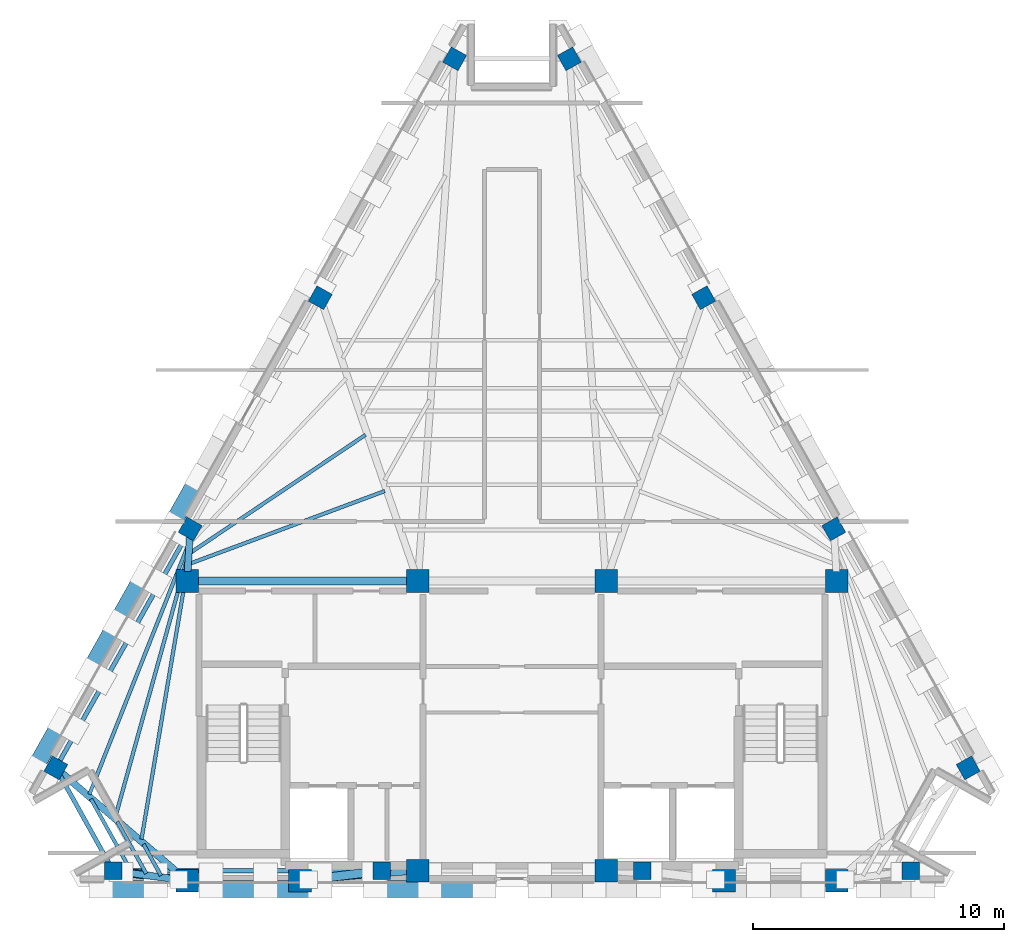
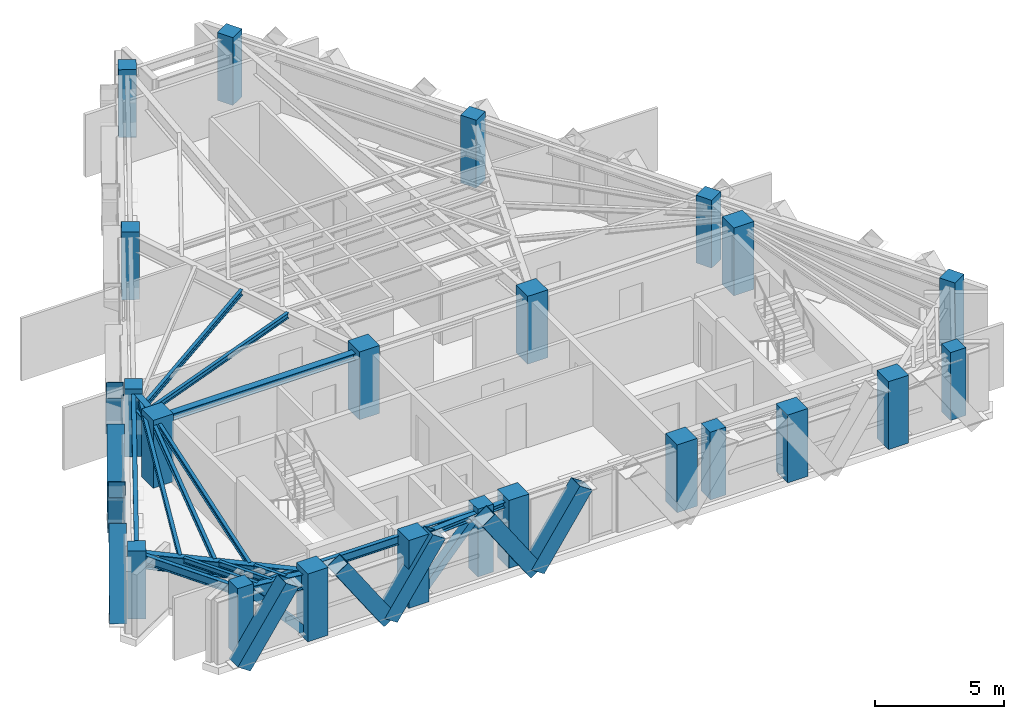
# One storey, part 1 of 7: 22 columns, 16 beams, 11 members.
"""IFC4 building model written with IfcOpenShell, lengths in metres."""

from ifc_helpers import new_model, si_unit, direction, frame, origin, origin_2d, place, context, subcontext, project, spatial, rectangle, hollow_rectangle, i_section, extrude, material, material_profile, profile_set, type_object, element, save


model = new_model("IFC4")

# Units and contexts
model_context = context("Model", 3, precision=1e-05, world=origin(), true_north=direction((0.0, 1.0)))
body_context = subcontext(model_context, "Body", "Model", "MODEL_VIEW")
ifc_project = project(units=[si_unit("LENGTHUNIT", "METRE"), si_unit("AREAUNIT", "SQUARE_METRE"), si_unit("VOLUMEUNIT", "CUBIC_METRE"), si_unit("PLANEANGLEUNIT", "RADIAN"), si_unit("MASSUNIT", "GRAM", prefix="KILO")], contexts=[model_context])

# Site, building, storey
site_placement = place(None, origin())
site = spatial("IfcSite", under=ifc_project, at=site_placement, CompositionType="ELEMENT")
building_placement = place(site_placement, origin())
building = spatial("IfcBuilding", under=site, at=building_placement, Name="Quenlor Broadcast Tower", CompositionType="ELEMENT")
storey_placement = place(building_placement, frame((0.0, 0.0, 280.5)))
storey = spatial("IfcBuildingStorey", under=building, at=storey_placement, Name="L78", CompositionType="ELEMENT", Elevation=280.5)

# Columns
ifc_material_1 = material(Name="Concrete C50/60", Category="concrete")
ifc_material_profile_1 = material_profile(ifc_material_1, rectangle(XDim=0.89990234375, YDim=0.89990234375, at=origin_2d()))
ifc_profile_set_1 = profile_set([ifc_material_profile_1], Name="Concrete C50/60 RC900x900")
column_type_1 = type_object("IfcColumnType", Name="Core Corner Column Upper Concrete C50/60 900", PredefinedType="COLUMN", material=ifc_profile_set_1)
for number, where, z_axis, x_axis, name in (
    (1, (-12.949951171875, -16.75, 0.0), (0.0, 0.0, 1.0), (1.0, 0.0, 0.0), "L78 Core Column CC1"),
    (2, (-8.449951171875, -16.75, 0.0), (0.0, 0.0, 1.0), (1.0, 0.0, 0.0), "L78 Core Column CC2"),
    (3, (-3.75, -16.35009765625, 0.0), (0.0, 0.0, 1.0), (1.0, 0.0, 0.0), "L78 Core Column CC3"),
    (4, (3.75, -16.35009765625, 0.0), (0.0, 0.0, 1.0), (1.0, 0.0, 0.0), "L78 Core Column CC4"),
    (5, (8.449951171875, -16.75, 0.0), (0.0, 0.0, 1.0), (1.0, 0.0, 0.0), "L78 Core Column CC5"),
    (6, (12.949951171875, -16.75, 0.0), (0.0, 0.0, 1.0), (1.0, 0.0, 0.0), "L78 Core Column CC6"),
    (7, (-12.949951171875, -4.800048828125, 0.0), (0.0, 0.0, 1.0), (1.0, 0.0, 0.0), "L78 Core Column CC7"),
    (8, (-3.75, -4.800048828125, 0.0), (0.0, 0.0, 1.0), (1.0, 0.0, 0.0), "L78 Core Column CC8"),
    (9, (3.75, -4.800048828125, 0.0), (0.0, 0.0, 1.0), (1.0, 0.0, 0.0), "L78 Core Column CC9"),
    (10, (12.949951171875, -4.800048828125, 0.0), (0.0, 0.0, 1.0), (1.0, 0.0, 0.0), "L78 Core Column CC10"),
):
    element("IfcColumn", number, at=place(storey_placement, frame(where, z_axis=z_axis, x_axis=x_axis)), inside=storey, type_object=column_type_1, Name=name, PredefinedType="COLUMN", context=body_context, shape_type="SweptSolid", body=[
        extrude(rectangle(XDim=0.89990234375, YDim=0.89990234375, at=origin_2d()), origin(), (0.0, 0.0, 1.0), 3.199951171875),
    ])
ifc_material_2 = material(Name="Concrete C40/50", Category="concrete")
ifc_material_profile_2 = material_profile(ifc_material_2, rectangle(XDim=0.699951171875, YDim=0.699951171875, at=origin_2d()))
ifc_profile_set_2 = profile_set([ifc_material_profile_2], Name="Concrete C40/50 RC700x700")
column_type_2 = type_object("IfcColumnType", Name="Crown Frame Column Concrete C40/50 700", PredefinedType="COLUMN", material=ifc_profile_set_2)
for number, where, z_axis, x_axis, name in (
    (11, (-15.897705078125, -16.35009765625, 0.0), (0.0, 0.0, 1.0), (0.0, 1.0, 0.0), "L78 Perimeter Column S1"),
    (12, (-5.18408203125, -16.35009765625, 0.0), (0.0, 0.0, 1.0), (0.0, 1.0, 0.0), "L78 Perimeter Column S2"),
    (13, (5.18408203125, -16.35009765625, 0.0), (0.0, 0.0, 1.0), (0.0, 1.0, 0.0), "L78 Perimeter Column S3"),
    (14, (15.897705078125, -16.35009765625, 0.0), (0.0, 0.0, 1.0), (0.0, 1.0, 0.0), "L78 Perimeter Column S4"),
    (15, (18.182373046875, -12.25, 0.0), (0.0, 0.0, 1.0), (0.871575139605, 0.490261946333, 0.0), "L78 Perimeter Column NE1"),
    (16, (12.825439453125, -2.726806640625, 0.0), (0.0, 0.0, 1.0), (0.871575139605, 0.490261946333, 0.0), "L78 Perimeter Column NE2"),
    (17, (7.6416015625, 6.4892578125, 0.0), (0.0, 0.0, 1.0), (0.871575139605, 0.490261946333, 0.0), "L78 Perimeter Column NE3"),
    (18, (2.28466796875, 16.012451171875, 0.0), (0.0, 0.0, 1.0), (0.871575139605, 0.490261946333, 0.0), "L78 Perimeter Column NE4"),
    (19, (-2.28466796875, 16.012451171875, 0.0), (0.0, 0.0, 1.0), (-0.871575139605, 0.490261946333, 0.0), "L78 Perimeter Column NW1"),
    (20, (-7.6416015625, 6.4892578125, 0.0), (0.0, 0.0, 1.0), (-0.871575139605, 0.490261946333, 0.0), "L78 Perimeter Column NW2"),
    (21, (-12.825439453125, -2.726806640625, 0.0), (0.0, 0.0, 1.0), (-0.871575139605, 0.490261946333, 0.0), "L78 Perimeter Column NW3"),
    (22, (-18.182373046875, -12.25, 0.0), (0.0, 0.0, 1.0), (-0.871575139605, 0.490261946333, 0.0), "L78 Perimeter Column NW4"),
):
    element("IfcColumn", number, at=place(storey_placement, frame(where, z_axis=z_axis, x_axis=x_axis)), inside=storey, type_object=column_type_2, Name=name, PredefinedType="COLUMN", context=body_context, shape_type="SweptSolid", body=[
        extrude(rectangle(XDim=0.699951171875, YDim=0.699951171875, at=origin_2d()), origin(), (0.0, 0.0, 1.0), 3.199951171875),
    ])

# Beams
ifc_material_3 = material(Name="Steel S355", Category="steel")
ifc_material_profile_3 = material_profile(ifc_material_3, i_section(OverallWidth=0.25390625, OverallDepth=0.25390625, WebThickness=0.008544921875, FlangeThickness=0.01416015625, FilletRadius=0.013916015625, at=origin_2d()))
ifc_profile_set_3 = profile_set([ifc_material_profile_3], Name="Steel S355 250UC72.9")
beam_type_1 = type_object("IfcBeamType", Name="Core Opening Lintel Beam Steel S355 250UC72.9", PredefinedType="LINTEL", material=ifc_profile_set_3)
beam_1_placement = place(storey_placement, frame((-8.09130859375, -16.719482421875, 2.822998046875), z_axis=(0.996399763903, 0.084779186679, 0.0), x_axis=(-0.084779186679, 0.996399763903, 0.0)))
element("IfcBeam", 23, at=beam_1_placement, inside=storey, type_object=beam_type_1, Name="L78 Core Opening Lintel Beam 4", PredefinedType="LINTEL", context=body_context, shape_type="SweptSolid", body=[
    extrude(i_section(OverallWidth=0.25390625, OverallDepth=0.25390625, WebThickness=0.008544921875, FlangeThickness=0.01416015625, FilletRadius=0.013916015625, at=origin_2d()), origin(), (0.0, 0.0, 1.0), 3.9970703125),
])
ifc_material_4 = material(Name="Steel S355", Category="steel")
ifc_material_profile_4 = material_profile(ifc_material_4, i_section(OverallWidth=0.306884765625, OverallDepth=0.314697265625, WebThickness=0.011962890625, FlangeThickness=0.018798828125, FilletRadius=0.0166015625, at=origin_2d()))
ifc_profile_set_4 = profile_set([ifc_material_profile_4], Name="Steel S355 310UC118")
beam_type_2 = type_object("IfcBeamType", Name="Core Tie Beam Steel S355 310UC118", PredefinedType="BEAM", material=ifc_profile_set_4)
beam_2_placement = place(storey_placement, frame((-12.590087890625, -4.800048828125, 2.792724609375), z_axis=(1.0, 0.0, 0.0), x_axis=(0.0, 1.0, 0.0)))
element("IfcBeam", 24, at=beam_2_placement, inside=storey, type_object=beam_type_2, Name="L78 Core Tie Beam 1", PredefinedType="BEAM", context=body_context, shape_type="SweptSolid", body=[
    extrude(i_section(OverallWidth=0.306884765625, OverallDepth=0.314697265625, WebThickness=0.011962890625, FlangeThickness=0.018798828125, FilletRadius=0.0166015625, at=origin_2d()), origin(), (0.0, 0.0, 1.0), 8.47998046875),
])
ifc_material_5 = material(Name="Steel S355", Category="steel")
ifc_material_profile_5 = material_profile(ifc_material_5, i_section(OverallWidth=0.14599609375, OverallDepth=0.256103515625, WebThickness=0.00634765625, FlangeThickness=0.010986328125, FilletRadius=0.0087890625, at=origin_2d()))
ifc_profile_set_5 = profile_set([ifc_material_profile_5], Name="Steel S355 250UB37.3")
beam_type_3 = type_object("IfcBeamType", Name="Crown Deck Joist Steel S355 250UB37.3", PredefinedType="JOIST", material=ifc_profile_set_5)
beam_3_placement = place(storey_placement, frame((-12.835205078125, -4.108642578125, 2.822021484375), z_axis=(0.937062080226, 0.349162795559, 0.0), x_axis=(-0.349162795559, 0.937062080226, 0.0)))
element("IfcBeam", 25, at=beam_3_placement, inside=storey, type_object=beam_type_3, Name="L78 Secondary Composite Joist 7", PredefinedType="JOIST", context=body_context, shape_type="SweptSolid", body=[
    extrude(i_section(OverallWidth=0.14599609375, OverallDepth=0.256103515625, WebThickness=0.00634765625, FlangeThickness=0.010986328125, FilletRadius=0.0087890625, at=origin_2d()), origin(), (0.0, 0.0, 1.0), 8.286376953125),
])
beam_4_placement = place(storey_placement, frame((-12.81884765625, -3.67724609375, 2.822021484375), z_axis=(0.829286301475, 0.558823970661, 0.0), x_axis=(-0.558823970661, 0.829286301475, 0.0)))
element("IfcBeam", 26, at=beam_4_placement, inside=storey, type_object=beam_type_3, Name="L78 Secondary Composite Joist 8", PredefinedType="JOIST", context=body_context, shape_type="SweptSolid", body=[
    extrude(i_section(OverallWidth=0.14599609375, OverallDepth=0.256103515625, WebThickness=0.00634765625, FlangeThickness=0.010986328125, FilletRadius=0.0087890625, at=origin_2d()), origin(), (0.0, 0.0, 1.0), 8.415771484375),
])
beam_5_placement = place(storey_placement, frame((-14.76806640625, -15.09619140625, 2.822021484375), z_axis=(0.166553293246, 0.986032454085, 0.0), x_axis=(-0.986032454085, 0.166553293246, 0.0)))
element("IfcBeam", 27, at=beam_5_placement, inside=storey, type_object=beam_type_3, Name="L78 Secondary Composite Joist 13", PredefinedType="JOIST", context=body_context, shape_type="SweptSolid", body=[
    extrude(i_section(OverallWidth=0.14599609375, OverallDepth=0.256103515625, WebThickness=0.00634765625, FlangeThickness=0.010986328125, FilletRadius=0.0087890625, at=origin_2d()), origin(), (0.0, 0.0, 1.0), 11.097900390625),
])
beam_6_placement = place(storey_placement, frame((-15.806396484375, -14.197998046875, 2.822021484375), z_axis=(0.26744552871, 0.96357298072, 0.0), x_axis=(-0.96357298072, 0.26744552871, 0.0)))
element("IfcBeam", 28, at=beam_6_placement, inside=storey, type_object=beam_type_3, Name="L78 Secondary Composite Joist 14", PredefinedType="JOIST", context=body_context, shape_type="SweptSolid", body=[
    extrude(i_section(OverallWidth=0.14599609375, OverallDepth=0.256103515625, WebThickness=0.00634765625, FlangeThickness=0.010986328125, FilletRadius=0.0087890625, at=origin_2d()), origin(), (0.0, 0.0, 1.0), 10.856689453125),
])
beam_7_placement = place(storey_placement, frame((-16.8447265625, -13.300537109375, 2.822021484375), z_axis=(0.368680258049, 0.929556274426, 0.0), x_axis=(-0.929556274426, 0.368680258049, 0.0)))
element("IfcBeam", 29, at=beam_7_placement, inside=storey, type_object=beam_type_3, Name="L78 Secondary Composite Joist 15", PredefinedType="JOIST", context=body_context, shape_type="SweptSolid", body=[
    extrude(i_section(OverallWidth=0.14599609375, OverallDepth=0.256103515625, WebThickness=0.00634765625, FlangeThickness=0.010986328125, FilletRadius=0.0087890625, at=origin_2d()), origin(), (0.0, 0.0, 1.0), 10.737548828125),
])
beam_8_placement = place(storey_placement, frame((-13.9912109375, -16.544189453125, 2.822021484375), z_axis=(-0.486624304452, 0.873611347406, 0.0), x_axis=(-0.873611347406, -0.486624304452, 0.0)))
element("IfcBeam", 30, at=beam_8_placement, inside=storey, type_object=beam_type_3, Name="L78 Secondary Composite Joist 19", PredefinedType="JOIST", context=body_context, shape_type="SweptSolid", body=[
    extrude(i_section(OverallWidth=0.14599609375, OverallDepth=0.256103515625, WebThickness=0.00634765625, FlangeThickness=0.010986328125, FilletRadius=0.0087890625, at=origin_2d()), origin(), (0.0, 0.0, 1.0), 1.435791015625),
])
beam_9_placement = place(storey_placement, frame((-14.58056640625, -16.464111328125, 2.822021484375), z_axis=(-0.486820963037, 0.873501774439, 0.0), x_axis=(-0.873501774439, -0.486820963037, 0.0)))
element("IfcBeam", 31, at=beam_9_placement, inside=storey, type_object=beam_type_3, Name="L78 Secondary Composite Joist 20", PredefinedType="JOIST", context=body_context, shape_type="SweptSolid", body=[
    extrude(i_section(OverallWidth=0.14599609375, OverallDepth=0.256103515625, WebThickness=0.00634765625, FlangeThickness=0.010986328125, FilletRadius=0.0087890625, at=origin_2d()), origin(), (0.0, 0.0, 1.0), 2.37451171875),
])
beam_10_placement = place(storey_placement, frame((-15.170166015625, -16.384033203125, 2.822021484375), z_axis=(-0.486762404011, 0.873534408046, 0.0), x_axis=(-0.873534408046, -0.486762404011, 0.0)))
element("IfcBeam", 32, at=beam_10_placement, inside=storey, type_object=beam_type_3, Name="L78 Secondary Composite Joist 21", PredefinedType="JOIST", context=body_context, shape_type="SweptSolid", body=[
    extrude(i_section(OverallWidth=0.14599609375, OverallDepth=0.256103515625, WebThickness=0.00634765625, FlangeThickness=0.010986328125, FilletRadius=0.0087890625, at=origin_2d()), origin(), (0.0, 0.0, 1.0), 3.313232421875),
])
ifc_material_6 = material(Name="Steel S355", Category="steel")
ifc_material_profile_6 = material_profile(ifc_material_6, i_section(OverallWidth=0.27490234375, OverallDepth=0.716064453125, WebThickness=0.013916015625, FlangeThickness=0.02490234375, FilletRadius=0.013916015625, at=origin_2d()))
ifc_profile_set_6 = profile_set([ifc_material_profile_6], Name="Steel S355 700WB173")
beam_type_4 = type_object("IfcBeamType", Name="Crown Plant Ring Girder Steel S355 700WB173", PredefinedType="BEAM", material=ifc_profile_set_6)
beam_11_placement = place(storey_placement, frame((-15.59033203125, -16.3916015625, 2.592041015625), z_axis=(0.990908681621, -0.134536183561, 0.0), x_axis=(0.134536183561, 0.990908681621, 0.0)))
element("IfcBeam", 33, at=beam_11_placement, inside=storey, type_object=beam_type_4, Name="L78 Primary Radial Beam S1", PredefinedType="BEAM", context=body_context, shape_type="SweptSolid", body=[
    extrude(i_section(OverallWidth=0.27490234375, OverallDepth=0.716064453125, WebThickness=0.013916015625, FlangeThickness=0.02490234375, FilletRadius=0.013916015625, at=origin_2d()), origin(), (0.0, 0.0, 1.0), 2.28466796875),
])
beam_12_placement = place(storey_placement, frame((-12.843994140625, -3.0361328125, 2.592041015625), z_axis=(-0.060022076178, -0.998197049871, 0.0), x_axis=(0.998197049871, -0.060022076178, 0.0)))
element("IfcBeam", 34, at=beam_12_placement, inside=storey, type_object=beam_type_4, Name="L78 Primary Radial Beam NW3", PredefinedType="BEAM", context=body_context, shape_type="SweptSolid", body=[
    extrude(i_section(OverallWidth=0.27490234375, OverallDepth=0.716064453125, WebThickness=0.013916015625, FlangeThickness=0.02490234375, FilletRadius=0.013916015625, at=origin_2d()), origin(), (0.0, 0.0, 1.0), 1.386962890625),
])
beam_13_placement = place(storey_placement, frame((-17.947265625, -12.451904296875, 2.592041015625), z_axis=(0.758156826123, -0.652072255968, 0.0), x_axis=(0.652072255968, 0.758156826123, 0.0)))
element("IfcBeam", 35, at=beam_13_placement, inside=storey, type_object=beam_type_4, Name="L78 Primary Radial Beam NW4", PredefinedType="BEAM", context=body_context, shape_type="SweptSolid", body=[
    extrude(i_section(OverallWidth=0.27490234375, OverallDepth=0.716064453125, WebThickness=0.013916015625, FlangeThickness=0.02490234375, FilletRadius=0.013916015625, at=origin_2d()), origin(), (0.0, 0.0, 1.0), 6.21142578125),
])

# Members
ifc_material_7 = material(Name="Steel S355", Category="steel")
ifc_material_profile_7 = material_profile(ifc_material_7, hollow_rectangle(XDim=0.35009765625, YDim=0.35009765625, WallThickness=0.02001953125, at=origin_2d()))
ifc_profile_set_7 = profile_set([ifc_material_profile_7], Name="Steel S355 RHS350x350x20")
member_type_1 = type_object("IfcMemberType", Name="Crown Sloped Raking Chord Steel S355 RHS350x20", PredefinedType="CHORD", material=ifc_profile_set_7)
member_1_placement = place(storey_placement, frame((-13.286865234375, -16.704345703125, 0.25), z_axis=(-0.676132711062, 0.091758297669, 0.731043755079), x_axis=(-0.134477773083, -0.990916610289, 0.0)))
element("IfcMember", 36, at=member_1_placement, inside=storey, type_object=member_type_1, Name="L78 Crown Plant Bracing Chord 1", PredefinedType="CHORD", context=body_context, shape_type="SweptSolid", body=[
    extrude(hollow_rectangle(XDim=0.35009765625, YDim=0.35009765625, WallThickness=0.02001953125, at=origin_2d()), origin(), (0.0, 0.0, 1.0), 3.392333984375),
])
member_2_placement = place(storey_placement, frame((-8.112548828125, -16.708740234375, 0.25), z_axis=(0.72220052685, 0.08846855154, 0.686002707288), x_axis=(-0.12158971239, 0.99258044603, 0.0)))
element("IfcMember", 37, at=member_2_placement, inside=storey, type_object=member_type_1, Name="L78 Crown Plant Bracing Chord 3", PredefinedType="CHORD", context=body_context, shape_type="SweptSolid", body=[
    extrude(hollow_rectangle(XDim=0.35009765625, YDim=0.35009765625, WallThickness=0.02001953125, at=origin_2d()), origin(), (0.0, 0.0, 1.0), 3.615234375),
])
ifc_material_8 = material(Name="Steel S355", Category="steel")
ifc_material_profile_8 = material_profile(ifc_material_8, hollow_rectangle(XDim=0.679931640625, YDim=0.679931640625, WallThickness=0.02001953125, at=origin_2d()))
ifc_profile_set_8 = profile_set([ifc_material_profile_8], Name="Steel S355 RHS680x680x20")
member_type_2 = type_object("IfcMemberType", Name="Perimeter Diagonal Lattice Brace Z5-Crown Steel S355 RHS680x20", PredefinedType="BRACE", material=ifc_profile_set_8)
for number, where, z_axis, x_axis, name in (
    (38, (-3.262939453125, -17.070068359375, -0.1201171875), (0.559086056828, 0.0, 0.829109631509), (0.0, 1.0, 0.0), "L78 Perimeter Diamond Lattice S-C3B"),
    (39, (-3.2890625, -17.070068359375, -0.1201171875), (-0.559086056828, 0.0, 0.829109631509), (0.0, -1.0, 0.0), "L78 Perimeter Diamond Lattice S-C4S"),
    (40, (-9.81494140625, -17.070068359375, -0.1201171875), (0.559086056828, 0.0, 0.829109631509), (0.0, 1.0, 0.0), "L78 Perimeter Diamond Lattice S-C4B"),
):
    element("IfcMember", number, at=place(storey_placement, frame(where, z_axis=z_axis, x_axis=x_axis)), inside=storey, type_object=member_type_2, Name=name, PredefinedType="BRACE", context=body_context, shape_type="SweptSolid", body=[
        extrude(hollow_rectangle(XDim=0.679931640625, YDim=0.679931640625, WallThickness=0.02001953125, at=origin_2d()), origin(), (0.0, 0.0, 1.0), 3.85986328125),
    ])
member_3_placement = place(storey_placement, frame((-9.841064453125, -17.070068359375, -0.1201171875), z_axis=(-0.559042573529, 0.0, 0.829138951553), x_axis=(0.0, -1.0, 0.0)))
element("IfcMember", 41, at=member_3_placement, inside=storey, type_object=member_type_2, Name="L78 Perimeter Diamond Lattice S-C5S", PredefinedType="BRACE", context=body_context, shape_type="SweptSolid", body=[
    extrude(hollow_rectangle(XDim=0.679931640625, YDim=0.679931640625, WallThickness=0.02001953125, at=origin_2d()), origin(), (0.0, 0.0, 1.0), 3.859619140625),
])
member_4_placement = place(storey_placement, frame((-16.366943359375, -17.070068359375, -0.1201171875), z_axis=(0.559086056828, 0.0, 0.829109631509), x_axis=(0.0, 1.0, 0.0)))
element("IfcMember", 42, at=member_4_placement, inside=storey, type_object=member_type_2, Name="L78 Perimeter Diamond Lattice S-C5B", PredefinedType="BRACE", context=body_context, shape_type="SweptSolid", body=[
    extrude(hollow_rectangle(XDim=0.679931640625, YDim=0.679931640625, WallThickness=0.02001953125, at=origin_2d()), origin(), (0.0, 0.0, 1.0), 3.85986328125),
])
member_5_placement = place(storey_placement, frame((-19.05322265625, -12.32958984375, -0.1201171875), z_axis=(0.277997364392, 0.494224518748, 0.823686585092), x_axis=(-0.871578496623, 0.490255978266, 0.0)))
element("IfcMember", 43, at=member_5_placement, inside=storey, type_object=member_type_2, Name="L78 Perimeter Diamond Lattice NW-C1S", PredefinedType="BRACE", context=body_context, shape_type="SweptSolid", body=[
    extrude(hollow_rectangle(XDim=0.679931640625, YDim=0.679931640625, WallThickness=0.02001953125, at=origin_2d()), origin(), (0.0, 0.0, 1.0), 3.88525390625),
])
member_6_placement = place(storey_placement, frame((-15.786865234375, -6.522705078125, -0.1201171875), z_axis=(-0.277948012651, -0.49418565939, 0.823726554335), x_axis=(0.871599215793, -0.490219141843, 0.0)))
element("IfcMember", 44, at=member_6_placement, inside=storey, type_object=member_type_2, Name="L78 Perimeter Diamond Lattice NW-C1B", PredefinedType="BRACE", context=body_context, shape_type="SweptSolid", body=[
    extrude(hollow_rectangle(XDim=0.679931640625, YDim=0.679931640625, WallThickness=0.02001953125, at=origin_2d()), origin(), (0.0, 0.0, 1.0), 3.885009765625),
])
for number, where, z_axis, x_axis, name in (
    (45, (-15.773681640625, -6.499267578125, -0.1201171875), (0.277997364392, 0.494224518748, 0.823686585092), (-0.871578496623, 0.490255978266, 0.0), "L78 Perimeter Diamond Lattice NW-C2S"),
    (46, (-12.50732421875, -0.6923828125, -0.1201171875), (-0.277997364392, -0.494224518748, 0.823686585092), (0.871578496623, -0.490255978266, 0.0), "L78 Perimeter Diamond Lattice NW-C2B"),
):
    element("IfcMember", number, at=place(storey_placement, frame(where, z_axis=z_axis, x_axis=x_axis)), inside=storey, type_object=member_type_2, Name=name, PredefinedType="BRACE", context=body_context, shape_type="SweptSolid", body=[
        extrude(hollow_rectangle(XDim=0.679931640625, YDim=0.679931640625, WallThickness=0.02001953125, at=origin_2d()), origin(), (0.0, 0.0, 1.0), 3.88525390625),
    ])

# Beams
ifc_material_9 = material(Name="Steel S355", Category="steel")
ifc_material_profile_9 = material_profile(ifc_material_9, i_section(OverallWidth=0.177978515625, OverallDepth=0.406494140625, WebThickness=0.0078125, FlangeThickness=0.0126953125, FilletRadius=0.011474609375, at=origin_2d()))
ifc_profile_set_9 = profile_set([ifc_material_profile_9], Name="Steel S355 410UB59.7")
beam_type_5 = type_object("IfcBeamType", Name="Perimeter Spandrel Beam Z5 Steel S355 410UB59.7", PredefinedType="SPANDREL", material=ifc_profile_set_9)
beam_14_placement = place(storey_placement, frame((-15.587646484375, -16.35009765625, 2.746826171875), z_axis=(1.0, 0.0, 0.0), x_axis=(0.0, 1.0, 0.0)))
element("IfcBeam", 47, at=beam_14_placement, inside=storey, type_object=beam_type_5, Name="L78 Spandrel Beam S1-S2", PredefinedType="SPANDREL", context=body_context, shape_type="SweptSolid", body=[
    extrude(i_section(OverallWidth=0.177978515625, OverallDepth=0.406494140625, WebThickness=0.0078125, FlangeThickness=0.0126953125, FilletRadius=0.011474609375, at=origin_2d()), origin(), (0.0, 0.0, 1.0), 10.09375),
])
beam_15_placement = place(storey_placement, frame((-12.9775390625, -2.996826171875, 2.746826171875), z_axis=(-0.490249992991, -0.871581863265, 0.0), x_axis=(0.871581863265, -0.490249992991, 0.0)))
element("IfcBeam", 48, at=beam_15_placement, inside=storey, type_object=beam_type_5, Name="L78 Spandrel Beam NW3-NW4", PredefinedType="SPANDREL", context=body_context, shape_type="SweptSolid", body=[
    extrude(i_section(OverallWidth=0.177978515625, OverallDepth=0.406494140625, WebThickness=0.0078125, FlangeThickness=0.0126953125, FilletRadius=0.011474609375, at=origin_2d()), origin(), (0.0, 0.0, 1.0), 10.306396484375),
])
beam_16_placement = place(storey_placement, frame((-18.031494140625, -12.520751953125, 2.746826171875), z_axis=(0.486777294572, -0.873526110365, 0.0), x_axis=(0.873526110365, 0.486777294572, 0.0)))
element("IfcBeam", 49, at=beam_16_placement, inside=storey, type_object=beam_type_5, Name="L78 Spandrel Beam NW4-S1", PredefinedType="SPANDREL", context=body_context, shape_type="SweptSolid", body=[
    extrude(i_section(OverallWidth=0.177978515625, OverallDepth=0.406494140625, WebThickness=0.0078125, FlangeThickness=0.0126953125, FilletRadius=0.011474609375, at=origin_2d()), origin(), (0.0, 0.0, 1.0), 4.073486328125),
])

save(model, "model.ifc")
